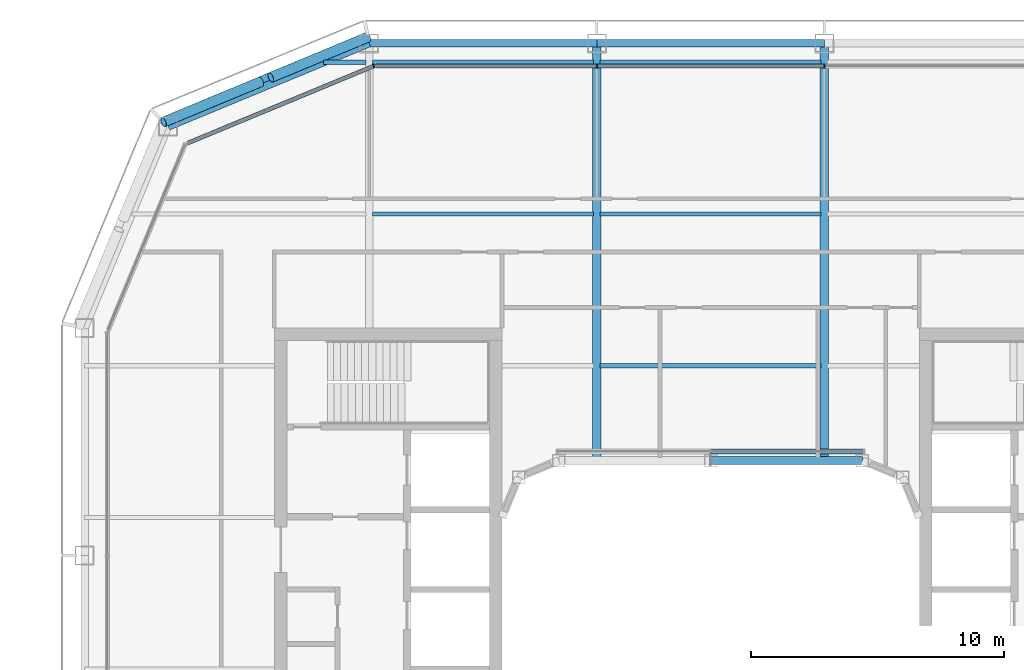
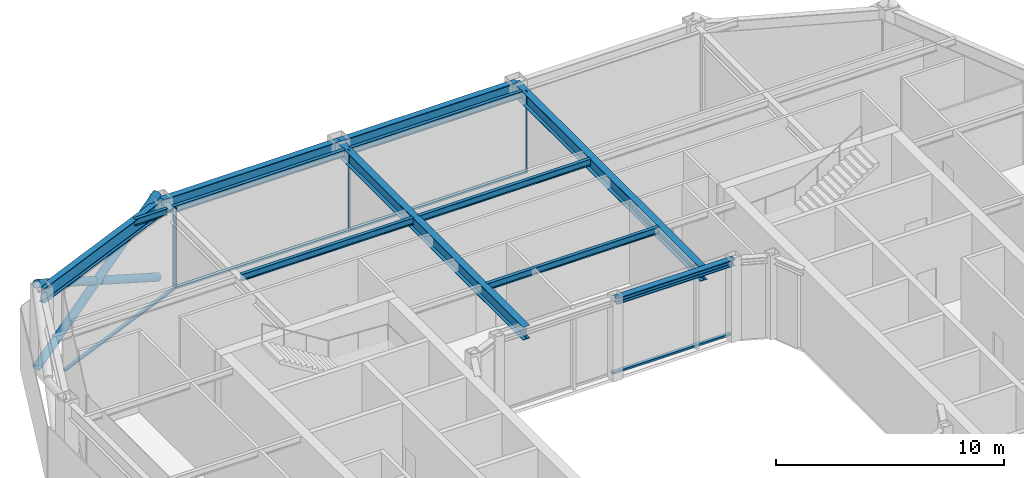
# One storey, part 7 of 20: 12 beams, 10 members, 3 elements without a shape of their own.
"""IFC4 building model written with IfcOpenShell, lengths in metres."""

from ifc_helpers import new_model, si_unit, direction, frame, origin, origin_2d, place, context, subcontext, project, spatial, rectangle, hollow_circle, i_section, extrude, material, layer, layer_set, material_profile, profile_set, type_object, element, aggregate, save


model = new_model("IFC4")

# Units and contexts
model_context = context("Model", 3, precision=1e-05, world=origin(), true_north=direction((0.0, 1.0)))
body_context = subcontext(model_context, "Body", "Model", "MODEL_VIEW")
ifc_project = project(units=[si_unit("LENGTHUNIT", "METRE"), si_unit("AREAUNIT", "SQUARE_METRE"), si_unit("VOLUMEUNIT", "CUBIC_METRE"), si_unit("PLANEANGLEUNIT", "RADIAN"), si_unit("MASSUNIT", "GRAM", prefix="KILO")], contexts=[model_context])

# Site, building, storey
site_placement = place(None, origin())
site = spatial("IfcSite", under=ifc_project, at=site_placement, CompositionType="ELEMENT")
building_placement = place(site_placement, origin())
building = spatial("IfcBuilding", under=site, at=building_placement, Name="Siwar Civic Tower", CompositionType="ELEMENT")
storey_placement = place(building_placement, frame((0.0, 0.0, 298.699951171875)))
storey = spatial("IfcBuildingStorey", under=building, at=storey_placement, Name="L64", CompositionType="ELEMENT", Elevation=298.699951171875)

# Curtain wall, members
ifc_material_1 = material(Name="Aluminium and glass", Category="aluminium")
ifc_layer_1 = layer(ifc_material_1, 0.159912109375)
ifc_layer_set_1 = layer_set([ifc_layer_1], Name="Aluminium and glass")
curtain_wall_type_1 = type_object("IfcCurtainWallType", Name="ENV-CW-D", PredefinedType="NOTDEFINED", material=ifc_layer_set_1)
curtain_wall_1_placement = place(storey_placement, origin())
curtain_wall_1 = element("IfcCurtainWall", 1, at=curtain_wall_1_placement, inside=storey, type_object=curtain_wall_type_1, Name="Curtain wall D N", PredefinedType="NOTDEFINED")
ifc_material_2 = material(Name="Aluminium 6063-T6", Category="aluminium")
ifc_material_profile_1 = material_profile(ifc_material_2, rectangle(XDim=0.159912109375, YDim=0.06005859375, at=origin_2d()), Name="AL 160x60")
ifc_profile_set_1 = profile_set([ifc_material_profile_1], Name="Aluminium 6063-T6")
member_type_1 = type_object("IfcMemberType", Name="ENV-MULLION-D", PredefinedType="MULLION", material=ifc_profile_set_1)
member_1_placement = place(storey_placement, frame((4.5, 23.85009765625, 0.0), z_axis=(0.0, 0.0, 1.0), x_axis=(0.0, -1.0, 0.0)))
member_1 = element("IfcMember", 2, at=member_1_placement, type_object=member_type_1, Name="Mullion D N 2", PredefinedType="MULLION", context=body_context, shape_type="SweptSolid", body=[
    extrude(rectangle(XDim=0.159912109375, YDim=0.06005859375, at=origin_2d()), origin(), (0.0, 0.0, 1.0), 4.35009765625),
])
member_2_placement = place(storey_placement, frame((-4.5, 23.85009765625, 0.0), z_axis=(0.0, 0.0, 1.0), x_axis=(0.0, -1.0, 0.0)))
member_2 = element("IfcMember", 3, at=member_2_placement, type_object=member_type_1, Name="Mullion D N 3", PredefinedType="MULLION", context=body_context, shape_type="SweptSolid", body=[
    extrude(rectangle(XDim=0.159912109375, YDim=0.06005859375, at=origin_2d()), origin(), (0.0, 0.0, 1.0), 4.35009765625),
])

# Curtain wall, member
ifc_material_3 = material(Name="Aluminium clad insulated panel", Category="aluminium")
ifc_layer_2 = layer(ifc_material_3, 0.159912109375)
ifc_layer_set_2 = layer_set([ifc_layer_2], Name="Aluminium clad insulated panel")
curtain_wall_type_2 = type_object("IfcCurtainWallType", Name="ENV-CW-DX", PredefinedType="NOTDEFINED", material=ifc_layer_set_2)
curtain_wall_2_placement = place(storey_placement, origin())
curtain_wall_2 = element("IfcCurtainWall", 4, at=curtain_wall_2_placement, inside=storey, type_object=curtain_wall_type_2, Name="Curtain wall D NW1", PredefinedType="NOTDEFINED")
member_3_placement = place(storey_placement, frame((-13.321044921875, 23.85009765625, 0.0), z_axis=(0.0, 0.0, 1.0), x_axis=(0.382683432365, -0.923879532511, 0.0)))
member_3 = element("IfcMember", 5, at=member_3_placement, type_object=member_type_1, Name="Mullion D NW1 1", PredefinedType="MULLION", context=body_context, shape_type="SweptSolid", body=[
    extrude(rectangle(XDim=0.159912109375, YDim=0.06005859375, at=origin_2d()), origin(), (0.0, 0.0, 1.0), 4.35009765625),
])

# Member
ifc_material_4 = material(Name="Aluminium 6063-T6", Category="aluminium")
ifc_material_profile_2 = material_profile(ifc_material_4, rectangle(XDim=0.159912109375, YDim=0.10009765625, at=origin_2d()), Name="AL 160x100")
ifc_profile_set_2 = profile_set([ifc_material_profile_2], Name="Aluminium 6063-T6")
member_type_2 = type_object("IfcMemberType", Name="ENV-TRANSOM-D", PredefinedType="USERDEFINED", material=ifc_profile_set_2)
member_4_placement = place(storey_placement, frame((4.469970703125, 23.85009765625, 0.050048828125), z_axis=(-1.0, 0.0, 0.0), x_axis=(0.0, -1.0, 0.0)))
member_4 = element("IfcMember", 6, at=member_4_placement, type_object=member_type_2, Name="Transom D N 2", ObjectType="TRANSOM", PredefinedType="USERDEFINED", context=body_context, shape_type="SweptSolid", body=[
    extrude(rectangle(XDim=0.159912109375, YDim=0.10009765625, at=origin_2d()), origin(), (0.0, 0.0, 1.0), 8.93994140625),
])

member_5_placement = place(storey_placement, frame((-4.530029296875, 23.85009765625, 0.050048828125), z_axis=(-1.0, 0.0, 0.0), x_axis=(0.0, -1.0, 0.0)))
member_5 = element("IfcMember", 7, at=member_5_placement, type_object=member_type_2, Name="Transom D N 3", ObjectType="TRANSOM", PredefinedType="USERDEFINED", context=body_context, shape_type="SweptSolid", body=[
    extrude(rectangle(XDim=0.159912109375, YDim=0.10009765625, at=origin_2d()), origin(), (0.0, 0.0, 1.0), 8.693115234375),
])

aggregate(curtain_wall_1, [member_1, member_2, member_4, member_5])

member_6_placement = place(storey_placement, frame((-13.3486328125, 23.838623046875, 0.050048828125), z_axis=(-0.923872756612, -0.382699790424, 0.0), x_axis=(0.382699790424, -0.923872756612, 0.0)))
member_6 = element("IfcMember", 8, at=member_6_placement, type_object=member_type_2, Name="Transom D NW1 1", ObjectType="TRANSOM", PredefinedType="USERDEFINED", context=body_context, shape_type="SweptSolid", body=[
    extrude(rectangle(XDim=0.159912109375, YDim=0.10009765625, at=origin_2d()), origin(), (0.0, 0.0, 1.0), 7.930908203125),
])

aggregate(curtain_wall_2, [member_3, member_6])

# Curtain wall, member
ifc_material_5 = material(Name="Aluminium and glass", Category="aluminium")
ifc_layer_3 = layer(ifc_material_5, 0.179931640625)
ifc_layer_set_3 = layer_set([ifc_layer_3], Name="Aluminium and glass")
curtain_wall_type_3 = type_object("IfcCurtainWallType", Name="ENV-CW-W", PredefinedType="NOTDEFINED", material=ifc_layer_set_3)
curtain_wall_3_placement = place(storey_placement, origin())
curtain_wall_3 = element("IfcCurtainWall", 9, at=curtain_wall_3_placement, inside=storey, type_object=curtain_wall_type_3, Name="Curtain wall W WN", PredefinedType="NOTDEFINED")
ifc_material_6 = material(Name="Aluminium 6063-T6", Category="aluminium")
ifc_material_profile_3 = material_profile(ifc_material_6, rectangle(XDim=0.179931640625, YDim=0.10009765625, at=origin_2d()), Name="AL 180x100")
ifc_profile_set_3 = profile_set([ifc_material_profile_3], Name="Aluminium 6063-T6")
member_type_3 = type_object("IfcMemberType", Name="ENV-TRANSOM-W", PredefinedType="USERDEFINED", material=ifc_profile_set_3)
member_7_placement = place(storey_placement, frame((6.04150390625, 8.610107421875, 0.050048828125), z_axis=(-1.0, 0.0, 0.0), x_axis=(0.0, -1.0, 0.0)))
member_7 = element("IfcMember", 10, at=member_7_placement, type_object=member_type_3, Name="Transom W WN 1", ObjectType="TRANSOM", PredefinedType="USERDEFINED", context=body_context, shape_type="SweptSolid", body=[
    extrude(rectangle(XDim=0.179931640625, YDim=0.10009765625, at=origin_2d()), origin(), (0.0, 0.0, 1.0), 6.011474609375),
])
aggregate(curtain_wall_3, [member_7])

# Members
ifc_material_7 = material(Name="Steel S355", Category="steel")
ifc_material_profile_4 = material_profile(ifc_material_7, hollow_circle(Radius=0.203125, WallThickness=0.01611328125, at=origin_2d()), Name="CHS406.4x16")
ifc_profile_set_4 = profile_set([ifc_material_profile_4], Name="Steel S355")
member_type_4 = type_object("IfcMemberType", Name="STR-BR-CHS406.4x16", PredefinedType="BRACE", material=ifc_profile_set_4)
member_8_placement = place(storey_placement, frame((-21.6318359375, 21.6318359375, 0.0), z_axis=(0.821142553604, 0.341671493852, 0.457149315816), x_axis=(-0.384163874976, 0.923264922524, 0.0)))
element("IfcMember", 11, at=member_8_placement, inside=storey, type_object=member_type_4, Name="L64/brc/DNW1-3-0-0", PredefinedType="BRACE", context=body_context, shape_type="SweptSolid", body=[
    extrude(hollow_circle(Radius=0.203125, WallThickness=0.01611328125, at=origin_2d()), origin(), (0.0, 0.0, 1.0), 9.843505859375),
])
for number, where, z_axis, x_axis, name in (
    (12, (-13.548828125, 24.9951171875, 0.0), (-0.821130093572, -0.341659024948, 0.45718101459), (0.384156893273, -0.923267827529, 0.0), "L64/brc/DNW1-3-0-4"),
    (13, (-17.791259765625, 23.229736328125, 2.362060546875), (-0.821166691915, -0.341652533125, 0.457120127208), (0.38413607648, -0.923276488787, 0.0), "L64/brc/DNW1-3-0-5"),
):
    element("IfcMember", number, at=place(storey_placement, frame(where, z_axis=z_axis, x_axis=x_axis)), inside=storey, type_object=member_type_4, Name=name, PredefinedType="BRACE", context=body_context, shape_type="SweptSolid", body=[
        extrude(hollow_circle(Radius=0.203125, WallThickness=0.01611328125, at=origin_2d()), origin(), (0.0, 0.0, 1.0), 4.677001953125),
    ])

# Beams
ifc_material_8 = material(Name="Steel S355", Category="steel")
ifc_material_profile_5 = material_profile(ifc_material_8, i_section(OverallWidth=0.169921875, OverallDepth=0.360107421875, WebThickness=0.008056640625, FlangeThickness=0.0126953125, FilletRadius=0.01806640625, at=origin_2d()), Name="IPE360")
ifc_profile_set_5 = profile_set([ifc_material_profile_5], Name="Steel S355")
beam_type_1 = type_object("IfcBeamType", Name="STR-FB-IPE360", PredefinedType="JOIST", material=ifc_profile_set_5)
for number, where, z_axis, x_axis, name in (
    (14, (-4.3701171875, 12.0, 4.170166015625), (1.0, 0.0, 0.0), (0.0, 1.0, 0.0), "L64/bm/F024"),
    (15, (-13.3701171875, 18.0, 4.170166015625), (1.0, 0.0, 0.0), (0.0, 1.0, 0.0), "L64/bm/F028"),
    (16, (-4.3701171875, 18.0, 4.170166015625), (1.0, 0.0, 0.0), (0.0, 1.0, 0.0), "L64/bm/F029"),
):
    element("IfcBeam", number, at=place(storey_placement, frame(where, z_axis=z_axis, x_axis=x_axis)), inside=storey, type_object=beam_type_1, Name=name, PredefinedType="JOIST", context=body_context, shape_type="SweptSolid", body=[
        extrude(i_section(OverallWidth=0.169921875, OverallDepth=0.360107421875, WebThickness=0.008056640625, FlangeThickness=0.0126953125, FilletRadius=0.01806640625, at=origin_2d()), origin(), (0.0, 0.0, 1.0), 8.740234375),
    ])
beam_1_placement = place(storey_placement, frame((-15.310546875, 24.0, 4.170166015625), z_axis=(1.0, 0.0, 0.0), x_axis=(0.0, 1.0, 0.0)))
element("IfcBeam", 17, at=beam_1_placement, inside=storey, type_object=beam_type_1, Name="L64/bm/F032", PredefinedType="JOIST", context=body_context, shape_type="SweptSolid", body=[
    extrude(i_section(OverallWidth=0.169921875, OverallDepth=0.360107421875, WebThickness=0.008056640625, FlangeThickness=0.0126953125, FilletRadius=0.01806640625, at=origin_2d()), origin(), (0.0, 0.0, 1.0), 1.6806640625),
])
for number, where, z_axis, x_axis, name in (
    (18, (-13.3701171875, 24.0, 4.170166015625), (1.0, 0.0, 0.0), (0.0, 1.0, 0.0), "L64/bm/F033"),
    (19, (-4.3701171875, 24.0, 4.170166015625), (1.0, 0.0, 0.0), (0.0, 1.0, 0.0), "L64/bm/F034"),
):
    element("IfcBeam", number, at=place(storey_placement, frame(where, z_axis=z_axis, x_axis=x_axis)), inside=storey, type_object=beam_type_1, Name=name, PredefinedType="JOIST", context=body_context, shape_type="SweptSolid", body=[
        extrude(i_section(OverallWidth=0.169921875, OverallDepth=0.360107421875, WebThickness=0.008056640625, FlangeThickness=0.0126953125, FilletRadius=0.01806640625, at=origin_2d()), origin(), (0.0, 0.0, 1.0), 8.740234375),
    ])
ifc_material_9 = material(Name="Steel S355", Category="steel")
ifc_material_profile_6 = material_profile(ifc_material_9, i_section(OverallWidth=0.340087890625, OverallDepth=0.699951171875, WebThickness=0.013916015625, FlangeThickness=0.030029296875, at=origin_2d()), Name="PG700x340x14x30")
ifc_profile_set_6 = profile_set([ifc_material_profile_6], Name="Steel S355")
beam_type_2 = type_object("IfcBeamType", Name="STR-PG-PG700x340x14x30", PredefinedType="BEAM", material=ifc_profile_set_6)
for number, where, z_axis, x_axis, name in (
    (20, (-4.5, 8.25, 4.0), (0.0, 1.0, 0.0), (-1.0, 0.0, 0.0), "L64/bm/G04"),
    (21, (4.5, 8.25, 4.0), (0.0, 1.0, 0.0), (-1.0, 0.0, 0.0), "L64/bm/G06"),
):
    element("IfcBeam", number, at=place(storey_placement, frame(where, z_axis=z_axis, x_axis=x_axis)), inside=storey, type_object=beam_type_2, Name=name, PredefinedType="BEAM", context=body_context, shape_type="SweptSolid", body=[
        extrude(i_section(OverallWidth=0.340087890625, OverallDepth=0.699951171875, WebThickness=0.013916015625, FlangeThickness=0.030029296875, at=origin_2d()), origin(), (0.0, 0.0, 1.0), 16.5),
    ])
ifc_material_10 = material(Name="Steel S355", Category="steel")
ifc_material_profile_7 = material_profile(ifc_material_10, i_section(OverallWidth=0.31005859375, OverallDepth=0.340087890625, WebThickness=0.02099609375, FlangeThickness=0.0390625, FilletRadius=0.027099609375, at=origin_2d()), Name="HEM300")
ifc_profile_set_7 = profile_set([ifc_material_profile_7], Name="Steel S355")
beam_type_3 = type_object("IfcBeamType", Name="STR-RB-HEM300", PredefinedType="BEAM", material=ifc_profile_set_7)
beam_2_placement = place(storey_placement, frame((0.0, 8.25, 4.179931640625), z_axis=(1.0, 0.0, 0.0), x_axis=(0.0, 1.0, 0.0)))
element("IfcBeam", 22, at=beam_2_placement, inside=storey, type_object=beam_type_3, Name="L64/bm/RN2", PredefinedType="BEAM", context=body_context, shape_type="SweptSolid", body=[
    extrude(i_section(OverallWidth=0.31005859375, OverallDepth=0.340087890625, WebThickness=0.02099609375, FlangeThickness=0.0390625, FilletRadius=0.027099609375, at=origin_2d()), origin(), (0.0, 0.0, 1.0), 6.0),
])
ifc_material_11 = material(Name="Steel S355", Category="steel")
ifc_material_profile_8 = material_profile(ifc_material_11, i_section(OverallWidth=0.300048828125, OverallDepth=0.800048828125, WebThickness=0.017578125, FlangeThickness=0.032958984375, FilletRadius=0.030029296875, at=origin_2d()), Name="HEB800")
ifc_profile_set_8 = profile_set([ifc_material_profile_8], Name="Steel S355")
beam_type_4 = type_object("IfcBeamType", Name="STR-SB-HEB800", PredefinedType="BEAM", material=ifc_profile_set_8)
for number, where, z_axis, x_axis, name in (
    (23, (4.5, 24.75, 3.949951171875), (-1.0, 0.0, 0.0), (0.0, -1.0, 0.0), "L64/bm/SN-1"),
    (24, (-4.5, 24.75, 3.949951171875), (-1.0, 0.0, 0.0), (0.0, -1.0, 0.0), "L64/bm/SN-2"),
):
    element("IfcBeam", number, at=place(storey_placement, frame(where, z_axis=z_axis, x_axis=x_axis)), inside=storey, type_object=beam_type_4, Name=name, PredefinedType="BEAM", context=body_context, shape_type="SweptSolid", body=[
        extrude(i_section(OverallWidth=0.300048828125, OverallDepth=0.800048828125, WebThickness=0.017578125, FlangeThickness=0.032958984375, FilletRadius=0.030029296875, at=origin_2d()), origin(), (0.0, 0.0, 1.0), 9.0),
    ])
beam_3_placement = place(storey_placement, frame((-13.5, 24.75, 3.949951171875), z_axis=(-0.923872720536, -0.382699877515, 0.0), x_axis=(0.382699877515, -0.923872720536, 0.0)))
element("IfcBeam", 25, at=beam_3_placement, inside=storey, type_object=beam_type_4, Name="L64/bm/SNW1-0", PredefinedType="BEAM", context=body_context, shape_type="SweptSolid", body=[
    extrude(i_section(OverallWidth=0.300048828125, OverallDepth=0.800048828125, WebThickness=0.017578125, FlangeThickness=0.032958984375, FilletRadius=0.030029296875, at=origin_2d()), origin(), (0.0, 0.0, 1.0), 8.6103515625),
])

save(model, "model.ifc")
